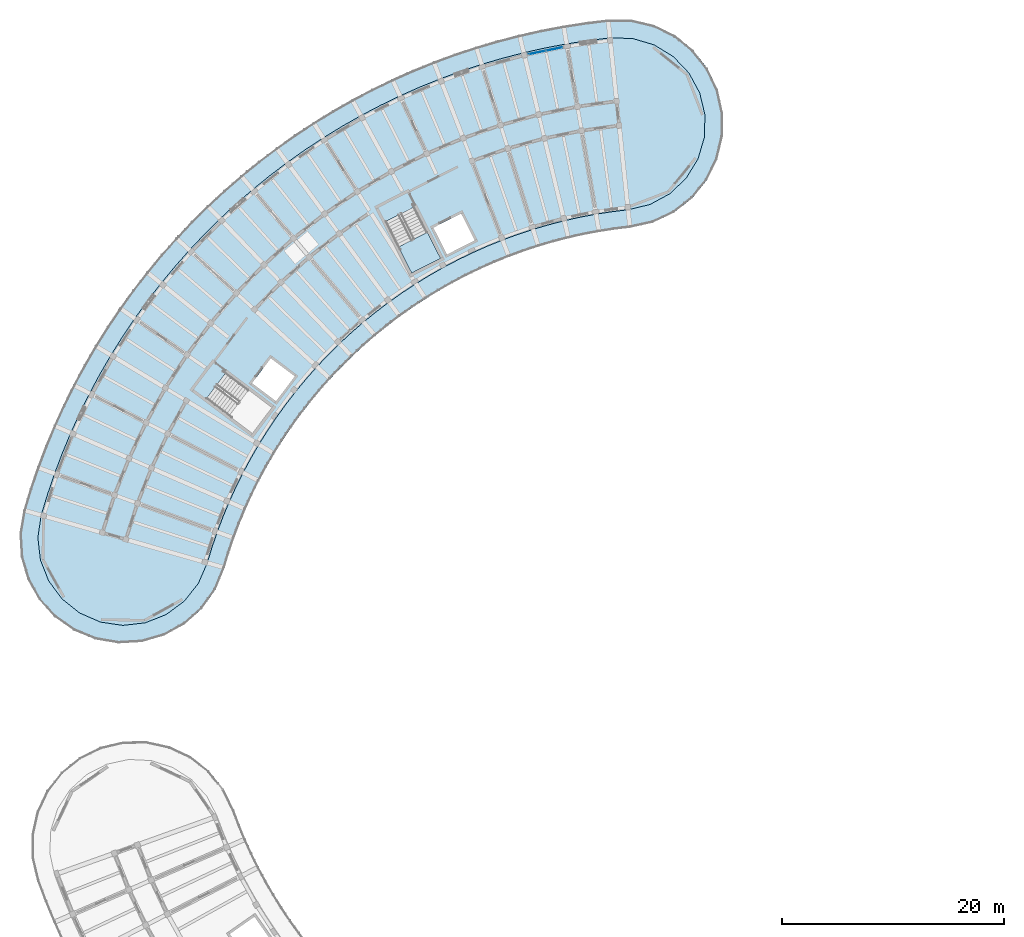
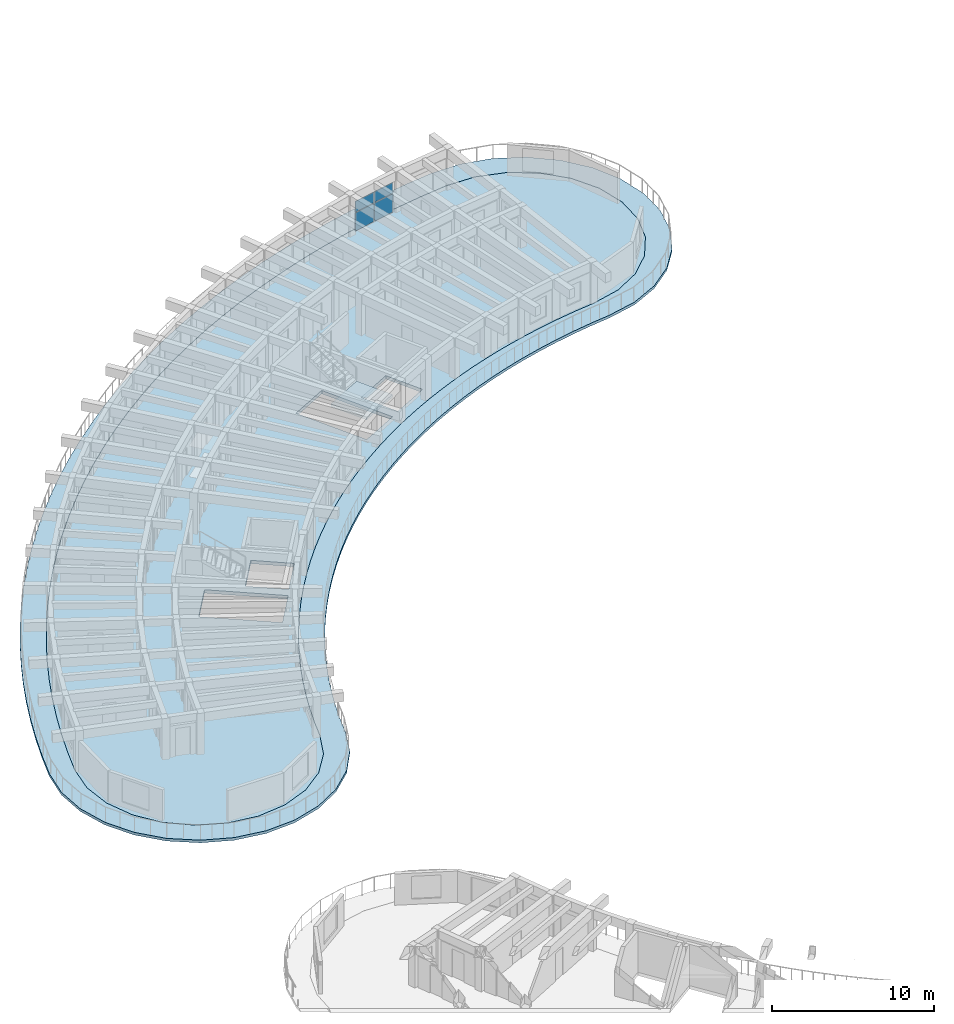
# One storey, part 35 of 83: 4 plates, 3 slabs, 2 elements without a shape of their own.
"""IFC4 building model written with IfcOpenShell, lengths in metres."""

from ifc_helpers import new_model, si_unit, direction, frame, origin, origin_2d, place, context, subcontext, project, spatial, polyline, rectangle, outline, extrude, material, layer, layer_set, type_object, element, aggregate, save


model = new_model("IFC4")

# Units and contexts
model_context = context("Model", 3, precision=1e-05, world=origin(), true_north=direction((0.0, 1.0)))
body_context = subcontext(model_context, "Body", "Model", "MODEL_VIEW")
ifc_project = project(units=[si_unit("LENGTHUNIT", "METRE"), si_unit("AREAUNIT", "SQUARE_METRE"), si_unit("VOLUMEUNIT", "CUBIC_METRE"), si_unit("PLANEANGLEUNIT", "RADIAN"), si_unit("MASSUNIT", "GRAM", prefix="KILO")], contexts=[model_context])

# Site, building, storey
site_placement = place(None, origin())
site = spatial("IfcSite", under=ifc_project, at=site_placement, CompositionType="ELEMENT")
building_placement = place(site_placement, origin())
building = spatial("IfcBuilding", under=site, at=building_placement, Name="Tanwirah Colonnade Gardens", CompositionType="ELEMENT")
storey_placement = place(building_placement, frame((0.0, 0.0, 25.639892578125)))
storey = spatial("IfcBuildingStorey", under=building, at=storey_placement, Name="L07", CompositionType="ELEMENT", Elevation=25.639892578125)

# Curtain wall, plates
ifc_material_1 = material(Name="Bronze-anodised aluminium and solar-control low-E glass", Category="aluminium")
curtain_wall_type = type_object("IfcCurtainWallType", Name="CW-LOB", PredefinedType="NOTDEFINED", material=ifc_material_1)
curtain_wall_placement = place(storey_placement, origin())
curtain_wall = element("IfcCurtainWall", 1, at=curtain_wall_placement, inside=storey, type_object=curtain_wall_type, Name="Curtain Wall CW-A-L07-OUT-01", PredefinedType="NOTDEFINED")
ifc_material_2 = material(Name="Insulated bronze aluminium spandrel panel", Category="aluminium")
ifc_layer_1 = layer(ifc_material_2, 0.035888671875)
ifc_layer_set_1 = layer_set([ifc_layer_1], Name="Insulated bronze aluminium spandrel panel")
plate_type = type_object("IfcPlateType", Name="CWP-SPN36", PredefinedType="CURTAIN_PANEL", material=ifc_layer_set_1)
plate_1_placement = place(storey_placement, frame((53.7333984375, 118.646728515625, 0.06494140625), z_axis=(0.0, 0.0, 1.0), x_axis=(-0.979340523595, -0.202218047772, 0.0)))
plate_1 = element("IfcPlate", 2, at=plate_1_placement, type_object=plate_type, Name="CW-LOB panel 1.1", PredefinedType="CURTAIN_PANEL", context=body_context, shape_type="SweptSolid", body=[
    extrude(rectangle(XDim=1.50537109375, YDim=0.035888671875, at=origin_2d()), origin(), (0.0, 0.0, 1.0), 1.362548828125),
])
plate_2_placement = place(storey_placement, frame((53.7333984375, 118.646728515625, 1.49267578125), z_axis=(0.0, 0.0, 1.0), x_axis=(-0.979340523595, -0.202218047772, 0.0)))
plate_2 = element("IfcPlate", 3, at=plate_2_placement, type_object=plate_type, Name="CW-LOB panel 1.2", PredefinedType="CURTAIN_PANEL", context=body_context, shape_type="SweptSolid", body=[
    extrude(rectangle(XDim=1.50537109375, YDim=0.035888671875, at=origin_2d()), origin(), (0.0, 0.0, 1.0), 0.79736328125),
])
plate_3_placement = place(storey_placement, frame((52.195556640625, 118.329345703125, 0.06494140625), z_axis=(0.0, 0.0, 1.0), x_axis=(-0.979340523595, -0.202218047772, 0.0)))
plate_3 = element("IfcPlate", 4, at=plate_3_placement, type_object=plate_type, Name="CW-LOB panel 2.1", PredefinedType="CURTAIN_PANEL", context=body_context, shape_type="SweptSolid", body=[
    extrude(rectangle(XDim=1.50537109375, YDim=0.035888671875, at=origin_2d()), origin(), (0.0, 0.0, 1.0), 1.362548828125),
])
plate_4_placement = place(storey_placement, frame((52.195556640625, 118.329345703125, 1.49267578125), z_axis=(0.0, 0.0, 1.0), x_axis=(-0.979340523595, -0.202218047772, 0.0)))
plate_4 = element("IfcPlate", 5, at=plate_4_placement, type_object=plate_type, Name="CW-LOB panel 2.2", PredefinedType="CURTAIN_PANEL", context=body_context, shape_type="SweptSolid", body=[
    extrude(rectangle(XDim=1.50537109375, YDim=0.035888671875, at=origin_2d()), origin(), (0.0, 0.0, 1.0), 0.79736328125),
])
aggregate(curtain_wall, [plate_1, plate_2, plate_3, plate_4])

# Slab
ifc_material_3 = material(Name="White architectural precast concrete C40/50", Category="concrete")
ifc_layer_2 = layer(ifc_material_3, 0.199951171875)
ifc_layer_set_2 = layer_set([ifc_layer_2], Name="White architectural precast concrete C40/50")
slab_type_1 = type_object("IfcSlabType", Name="SL-BAL-200", PredefinedType="FLOOR", material=ifc_layer_set_2)
slab_1_placement = place(storey_placement, frame((0.0, 0.0, -0.199951171875)))
element("IfcSlab", 6, at=slab_1_placement, inside=storey, type_object=slab_type_1, Name="Block A L07 Continuous White Balcony Ribbon", PredefinedType="FLOOR", context=body_context, shape_type="SweptSolid", body=[
    extrude(outline(polyline([(62.602783203125, 103.019775390625), (64.505859375, 103.918701171875), (66.161376953125, 105.21875), (67.486083984375, 106.854736328125), (68.41357421875, 108.744140625), (68.897216796875, 110.792724609375), (68.9130859375, 112.897705078125), (68.4599609375, 114.953369140625), (67.560791015625, 116.8564453125), (66.2607421875, 118.511962890625), (64.625, 119.836669921875), (62.7353515625, 120.76416015625), (60.686767578125, 121.247802734375), (58.58203125, 121.263671875), (56.57275390625, 121.018798828125), (54.572509765625, 120.7080078125), (52.583740234375, 120.33154296875), (50.608642578125, 119.8896484375), (48.64892578125, 119.3828125), (46.70703125, 118.811767578125), (44.78515625, 118.1767578125), (42.885009765625, 117.47900390625), (41.009033203125, 116.718994140625), (39.1591796875, 115.8974609375), (37.33740234375, 115.015380859375), (35.545654296875, 114.073974609375), (33.785888671875, 113.07373046875), (32.06005859375, 112.01611328125), (30.3701171875, 110.90234375), (28.717529296875, 109.7333984375), (27.104736328125, 108.510498046875), (25.532958984375, 107.235107421875), (24.00390625, 105.90869140625), (22.51953125, 104.532470703125), (21.08154296875, 103.108154296875), (19.69091796875, 101.63720703125), (18.349853515625, 100.121337890625), (17.059326171875, 98.56201171875), (15.82080078125, 96.9609375), (14.6357421875, 95.320068359375), (13.505615234375, 93.640869140625), (12.431396484375, 91.92529296875), (11.414306640625, 90.17529296875), (10.455322265625, 88.392822265625), (9.5556640625, 86.57958984375), (8.71630859375, 84.73779296875), (7.93798828125, 82.869140625), (7.221923828125, 80.97607421875), (6.568359375, 79.060302734375), (5.978515625, 77.1240234375), (5.62841796875, 75.048583984375), (5.749267578125, 72.947021484375), (6.33447265625, 70.925048828125), (7.35498046875, 69.083984375), (8.759521484375, 67.516357421875), (10.477783203125, 66.30029296875), (12.42333984375, 65.497314453125), (14.4990234375, 65.147216796875), (16.6005859375, 65.267822265625), (18.62255859375, 65.853271484375), (20.46337890625, 66.873779296875), (22.03125, 68.2783203125), (23.2470703125, 69.996337890625), (24.05029296875, 71.942138671875), (24.45947265625, 73.28564453125), (24.912841796875, 74.61474609375), (25.409912109375, 75.92822265625), (25.94970703125, 77.224609375), (26.531982421875, 78.50244140625), (27.15625, 79.760498046875), (27.821533203125, 80.997314453125), (28.52734375, 82.21142578125), (29.272705078125, 83.401611328125), (30.056884765625, 84.566650390625), (30.87890625, 85.705078125), (31.73828125, 86.81591796875), (32.633544921875, 87.89794921875), (33.564208984375, 88.94970703125), (34.52880859375, 89.97021484375), (35.526611328125, 90.95849609375), (36.556396484375, 91.9130859375), (37.6171875, 92.83349609375), (38.707763671875, 93.71826171875), (39.826904296875, 94.566650390625), (40.973388671875, 95.3779296875), (42.14599609375, 96.150634765625), (43.34326171875, 96.884521484375), (44.564208984375, 97.578369140625), (45.807373046875, 98.231689453125), (47.0712890625, 98.843505859375), (48.354736328125, 99.41357421875), (49.656494140625, 99.94091796875), (50.974609375, 100.425048828125), (52.30810546875, 100.865478515625), (53.655517578125, 101.26171875), (55.01513671875, 101.61328125), (56.385498046875, 101.919921875), (57.765380859375, 102.18115234375), (59.153076171875, 102.396728515625), (60.547119140625, 102.566650390625), (62.602783203125, 103.019775390625)]), holes=[polyline([(62.3525390625, 104.652099609375), (60.376220703125, 104.177490234375), (58.930908203125, 104.00146484375), (58.930419921875, 104.00146484375), (57.490478515625, 103.777587890625), (57.489990234375, 103.777587890625), (56.058349609375, 103.506591796875), (56.0576171875, 103.50634765625), (54.6357421875, 103.188232421875), (54.635009765625, 103.18798828125), (53.224365234375, 102.8232421875), (53.2236328125, 102.822998046875), (51.825927734375, 102.411865234375), (51.8251953125, 102.411865234375), (50.441650390625, 101.954833984375), (50.44091796875, 101.95458984375), (49.0732421875, 101.4521484375), (49.07275390625, 101.451904296875), (47.72216796875, 100.90478515625), (47.7216796875, 100.904541015625), (46.389892578125, 100.313232421875), (46.38916015625, 100.31298828125), (45.077880859375, 99.677978515625), (45.0771484375, 99.677734375), (43.787353515625, 99.0), (43.786865234375, 98.99951171875), (42.52001953125, 98.279541015625), (42.51953125, 98.279296875), (41.277099609375, 97.51806640625), (41.276611328125, 97.517578125), (40.059814453125, 96.7158203125), (40.059326171875, 96.71533203125), (38.869873046875, 95.873779296875), (38.869384765625, 95.87353515625), (37.708251953125, 94.9931640625), (37.707763671875, 94.99267578125), (36.576171875, 94.07470703125), (36.57568359375, 94.07421875), (35.47509765625, 93.119384765625), (35.474609375, 93.118896484375), (34.406005859375, 92.12841796875), (34.405517578125, 92.1279296875), (33.370361328125, 91.1025390625), (33.369873046875, 91.10205078125), (32.368896484375, 90.043212890625), (32.368408203125, 90.042724609375), (31.40283203125, 88.951416015625), (31.402587890625, 88.950927734375), (30.473388671875, 87.828369140625), (30.47314453125, 87.827880859375), (29.58154296875, 86.67529296875), (29.581298828125, 86.6748046875), (28.728271484375, 85.493408203125), (28.727783203125, 85.492919921875), (27.9140625, 84.2841796875), (27.913818359375, 84.28369140625), (27.140380859375, 83.048828125), (27.14013671875, 83.048095703125), (26.407958984375, 81.788330078125), (26.40771484375, 81.787841796875), (25.71728515625, 80.504638671875), (25.717041015625, 80.504150390625), (25.0693359375, 79.19873046875), (25.069091796875, 79.1982421875), (24.46484375, 77.872314453125), (24.464599609375, 77.87158203125), (23.904296875, 76.526611328125), (23.904052734375, 76.52587890625), (23.388671875, 75.1630859375), (23.388427734375, 75.16259765625), (22.91796875, 73.783447265625), (22.917724609375, 73.78271484375), (22.493408203125, 72.39013671875), (21.68310546875, 70.526123046875), (20.418701171875, 68.936767578125), (18.7861328125, 67.728759765625), (16.896484375, 66.984375), (14.878662109375, 66.75439453125), (12.869873046875, 67.0546875), (11.007568359375, 67.864501953125), (9.41796875, 69.12890625), (8.2099609375, 70.761474609375), (7.465576171875, 72.651123046875), (7.23583984375, 74.6689453125), (7.5361328125, 76.6787109375), (8.110107421875, 78.562744140625), (8.746337890625, 80.427978515625), (9.443603515625, 82.271240234375), (10.201171875, 84.09033203125), (11.0185546875, 85.883544921875), (11.89453125, 87.64892578125), (12.828125, 89.384521484375), (13.818359375, 91.08837890625), (14.8642578125, 92.758544921875), (15.964599609375, 94.393310546875), (17.118408203125, 95.990966796875), (18.32421875, 97.5498046875), (19.58056640625, 99.068115234375), (20.886474609375, 100.5439453125), (22.240234375, 101.97607421875), (23.640380859375, 103.36279296875), (25.085693359375, 104.70263671875), (26.57421875, 105.994140625), (28.1044921875, 107.23583984375), (29.6748046875, 108.42626953125), (31.28369140625, 109.564453125), (32.92919921875, 110.649169921875), (34.609375, 111.6787109375), (36.32275390625, 112.652587890625), (38.067138671875, 113.5693359375), (39.841064453125, 114.427978515625), (41.64208984375, 115.227783203125), (43.468505859375, 115.9677734375), (45.318359375, 116.647216796875), (47.189697265625, 117.26513671875), (49.080322265625, 117.8212890625), (50.98828125, 118.314697265625), (52.911376953125, 118.744873046875), (54.84765625, 119.111572265625), (56.795166015625, 119.414306640625), (58.750244140625, 119.65234375), (60.781494140625, 119.59912109375), (62.728759765625, 119.0224609375), (64.46044921875, 117.961181640625), (65.858642578125, 116.488037109375), (66.82763671875, 114.703125), (67.3017578125, 112.728271484375), (67.24853515625, 110.697998046875), (66.671630859375, 108.750732421875), (65.610595703125, 107.01904296875), (64.137451171875, 105.62109375), (62.3525390625, 104.652099609375)])]), origin(), (0.0, 0.0, 1.0), 0.199951171875),
])

# Stair, slab
ifc_material_4 = material(Name="Precast concrete C40/50", Category="concrete")
stair_type = type_object("IfcStairType", Name="ST-RES168", PredefinedType="HALF_TURN_STAIR", material=ifc_material_4)
stair_placement = place(storey_placement, origin())
stair = element("IfcStair", 7, at=stair_placement, inside=storey, type_object=stair_type, Name="L07 Block A Core 1 Exit Stair", PredefinedType="HALF_TURN_STAIR")
ifc_layer_3 = layer(ifc_material_4, 0.205078125)
ifc_layer_set_3 = layer_set([ifc_layer_3], Name="Precast concrete C40/50")
slab_type_2 = type_object("IfcSlabType", Name="SL-LND-205", PredefinedType="LANDING", material=ifc_layer_set_3)
slab_2_placement = place(storey_placement, frame((0.0, 0.0, 1.47509765625)))
slab_2 = element("IfcSlab", 8, at=slab_2_placement, type_object=slab_type_2, Name="ST-A1 landing 1", PredefinedType="LANDING", context=body_context, shape_type="SweptSolid", body=[
    extrude(outline(polyline([(39.6982421875, 100.826171875), (40.89453125, 98.478515625), (43.496337890625, 99.80419921875), (42.300048828125, 102.15185546875), (39.6982421875, 100.826171875)])), origin(), (0.0, 0.0, 1.0), 0.205078125),
])
aggregate(stair, [slab_2])

# Slab
ifc_layer_4 = layer(ifc_material_4, 0.25)
ifc_layer_set_4 = layer_set([ifc_layer_4], Name="Precast concrete C40/50")
slab_type_3 = type_object("IfcSlabType", Name="SL-RES-250", PredefinedType="FLOOR", material=ifc_layer_set_4)
slab_3_placement = place(storey_placement, frame((0.0, 0.0, -0.25)))
element("IfcSlab", 9, at=slab_3_placement, inside=storey, type_object=slab_type_3, Name="Block A L07 Precast Composite Floor Slab", PredefinedType="FLOOR", context=body_context, shape_type="SweptSolid", body=[
    extrude(outline(polyline([(57.49365234375, 103.758056640625), (58.933349609375, 103.981689453125), (60.3798828125, 104.157958984375), (62.35986328125, 104.63330078125), (64.149169921875, 105.604736328125), (65.626220703125, 107.00634765625), (66.690185546875, 108.74267578125), (67.2685546875, 110.695068359375), (67.32177734375, 112.73046875), (66.846435546875, 114.71044921875), (65.874755859375, 116.499755859375), (64.47314453125, 117.976806640625), (62.737060546875, 119.040771484375), (60.78466796875, 119.619140625), (58.749267578125, 119.67236328125), (56.792236328125, 119.43408203125), (54.84423828125, 119.13134765625), (52.907470703125, 118.7646484375), (50.983642578125, 118.334228515625), (49.074951171875, 117.840576171875), (47.183837890625, 117.284423828125), (45.311767578125, 116.666015625), (43.46142578125, 115.986328125), (41.63427734375, 115.24609375), (39.83251953125, 114.446044921875), (38.05810546875, 113.587158203125), (36.313232421875, 112.669921875), (34.599365234375, 111.696044921875), (32.91845703125, 110.666015625), (31.2724609375, 109.5810546875), (29.6630859375, 108.442626953125), (28.092041015625, 107.25146484375), (26.561279296875, 106.009521484375), (25.072265625, 104.717529296875), (23.62646484375, 103.377197265625), (22.225830078125, 101.990234375), (20.87158203125, 100.5576171875), (19.5654296875, 99.0810546875), (18.30859375, 97.562255859375), (17.102294921875, 96.0029296875), (15.9482421875, 94.40478515625), (14.847412109375, 92.76953125), (13.80126953125, 91.0986328125), (12.810546875, 89.394287109375), (11.876708984375, 87.658203125), (11.00048828125, 85.892333984375), (10.182861328125, 84.098388671875), (9.425048828125, 82.278564453125), (8.7275390625, 80.434814453125), (8.091064453125, 78.56884765625), (7.5166015625, 76.68310546875), (7.215576171875, 74.669189453125), (7.446044921875, 72.646240234375), (8.1923828125, 70.751708984375), (9.403564453125, 69.11474609375), (10.9970703125, 67.84716796875), (12.864501953125, 67.035400390625), (14.878173828125, 66.734375), (16.9013671875, 66.96484375), (18.7958984375, 67.711181640625), (20.4326171875, 68.92236328125), (21.7001953125, 70.515869140625), (22.51220703125, 72.383056640625), (22.93701171875, 73.777099609375), (23.4072265625, 75.156005859375), (23.9228515625, 76.518798828125), (24.483154296875, 77.864013671875), (25.08740234375, 79.18994140625), (25.73486328125, 80.4951171875), (26.42529296875, 81.7783203125), (27.157470703125, 83.0380859375), (27.9306640625, 84.27294921875), (28.744384765625, 85.48193359375), (29.597412109375, 86.6630859375), (30.489013671875, 87.815673828125), (31.41796875, 88.938232421875), (32.38330078125, 90.029541015625), (33.38427734375, 91.08837890625), (34.419677734375, 92.11376953125), (35.48828125, 93.104248046875), (36.5888671875, 94.05908203125), (37.72021484375, 94.977294921875), (38.88134765625, 95.857421875), (40.07080078125, 96.698974609375), (41.28759765625, 97.5009765625), (42.52978515625, 98.26220703125), (43.796630859375, 98.982177734375), (45.08642578125, 99.659912109375), (46.39794921875, 100.294921875), (47.729736328125, 100.88623046875), (49.080078125, 101.433349609375), (50.447998046875, 101.935791015625), (51.83154296875, 102.392822265625), (53.229248046875, 102.803955078125), (54.64013671875, 103.168701171875), (56.06201171875, 103.48681640625), (57.49365234375, 103.758056640625)]), holes=[polyline([(41.13427734375, 104.433349609375), (43.49365234375, 99.802734375), (40.897216796875, 98.479736328125), (38.537841796875, 103.1103515625), (41.13427734375, 104.433349609375)]), polyline([(46.574462890625, 101.428466796875), (44.07958984375, 100.157470703125), (42.853759765625, 102.563232421875), (45.3486328125, 103.834228515625), (46.574462890625, 101.428466796875)]), polyline([(26.555908203125, 84.039794921875), (22.4052734375, 87.16748046875), (24.158935546875, 89.49462890625), (28.3095703125, 86.366943359375), (26.555908203125, 84.039794921875)]), polyline([(26.5244140625, 88.5673828125), (28.20947265625, 90.8037109375), (30.36572265625, 89.1787109375), (28.6806640625, 86.942626953125), (26.5244140625, 88.5673828125)])]), origin(), (0.0, 0.0, 1.0), 0.25),
])

save(model, "model.ifc")
